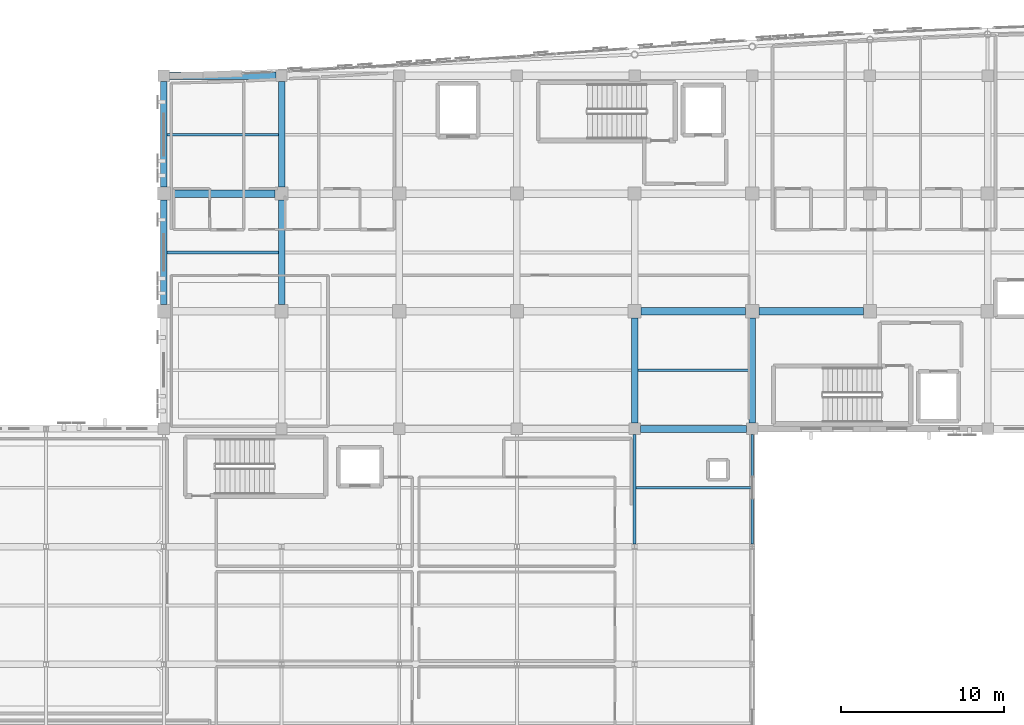
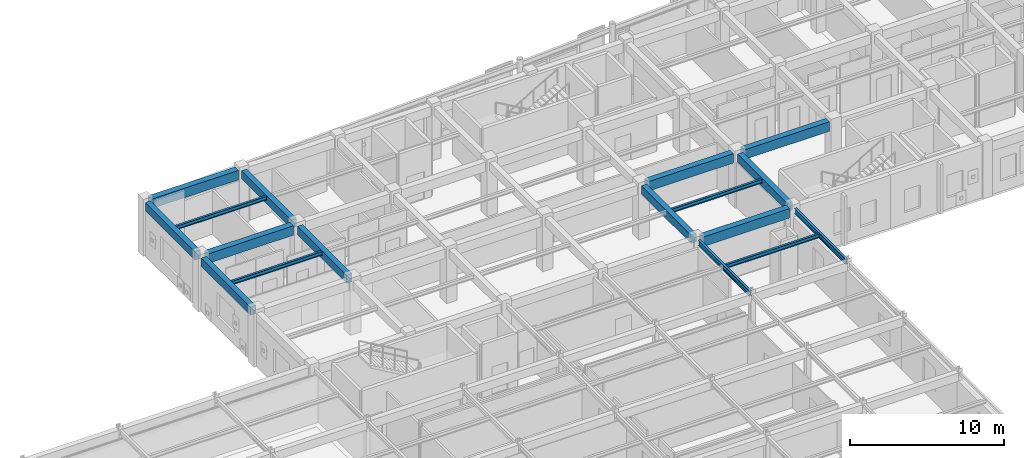
# One storey, part 24 of 106: 17 beams.
"""IFC4 building model written with IfcOpenShell, lengths in metres."""

from ifc_helpers import new_model, si_unit, direction, frame, origin, origin_2d, place, context, subcontext, project, spatial, rectangle, i_section, extrude, material, material_profile, profile_set, type_object, element, save


model = new_model("IFC4")

# Units and contexts
model_context = context("Model", 3, precision=1e-05, world=origin(), true_north=direction((0.0, 1.0)))
body_context = subcontext(model_context, "Body", "Model", "MODEL_VIEW")
ifc_project = project(units=[si_unit("LENGTHUNIT", "METRE"), si_unit("AREAUNIT", "SQUARE_METRE"), si_unit("VOLUMEUNIT", "CUBIC_METRE"), si_unit("PLANEANGLEUNIT", "RADIAN"), si_unit("MASSUNIT", "GRAM", prefix="KILO")], contexts=[model_context])

# Site, building, storey
site_placement = place(None, origin())
site = spatial("IfcSite", under=ifc_project, at=site_placement, CompositionType="ELEMENT")
building_placement = place(site_placement, origin())
building = spatial("IfcBuilding", under=site, at=building_placement, Name="Carrowvane Square Congress Hotel", CompositionType="ELEMENT")
storey_placement = place(building_placement, frame((0.0, 0.0, 10.5)))
storey = spatial("IfcBuildingStorey", under=building, at=storey_placement, Name="L02", CompositionType="ELEMENT", Elevation=10.5)

# Beams
ifc_material_1 = material(Name="Concrete C35/45", Category="concrete")
ifc_material_profile_1 = material_profile(ifc_material_1, rectangle(XDim=0.39990234375, YDim=0.64990234375, at=origin_2d()), Name="RC 400x650")
ifc_profile_set_1 = profile_set([ifc_material_profile_1], Name="Concrete C35/45")
beam_type_1 = type_object("IfcBeamType", Name="BM-RC-400x650", PredefinedType="BEAM", material=ifc_profile_set_1)
beam_1_placement = place(storey_placement, frame((33.199951171875, 99.39990234375, 3.89501953125), z_axis=(0.0, 1.0, 0.0), x_axis=(-1.0, 0.0, 0.0)))
element("IfcBeam", 1, at=beam_1_placement, inside=storey, type_object=beam_type_1, Name="L03 girder 4/P-Q", PredefinedType="BEAM", context=body_context, shape_type="SweptSolid", body=[
    extrude(rectangle(XDim=0.39990234375, YDim=0.64990234375, at=origin_2d()), origin(), (0.0, 0.0, 1.0), 6.400146484375),
])
beam_2_placement = place(storey_placement, frame((33.199951171875, 106.60009765625, 3.89501953125), z_axis=(0.0, 1.0, 0.0), x_axis=(-1.0, 0.0, 0.0)))
element("IfcBeam", 2, at=beam_2_placement, inside=storey, type_object=beam_type_1, Name="L03 girder 4/Q-R", PredefinedType="BEAM", context=body_context, shape_type="SweptSolid", body=[
    extrude(rectangle(XDim=0.39990234375, YDim=0.64990234375, at=origin_2d()), origin(), (0.0, 0.0, 1.0), 6.449951171875),
])
beam_3_placement = place(storey_placement, frame((40.39990234375, 99.39990234375, 3.89501953125), z_axis=(0.0, 1.0, 0.0), x_axis=(-1.0, 0.0, 0.0)))
element("IfcBeam", 3, at=beam_3_placement, inside=storey, type_object=beam_type_1, Name="L03 girder 5/P-Q", PredefinedType="BEAM", context=body_context, shape_type="SweptSolid", body=[
    extrude(rectangle(XDim=0.39990234375, YDim=0.64990234375, at=origin_2d()), origin(), (0.0, 0.0, 1.0), 6.400146484375),
])
beam_4_placement = place(storey_placement, frame((40.39990234375, 106.60009765625, 3.89501953125), z_axis=(0.0, 1.0, 0.0), x_axis=(-1.0, 0.0, 0.0)))
element("IfcBeam", 4, at=beam_4_placement, inside=storey, type_object=beam_type_1, Name="L03 girder 5/Q-R", PredefinedType="BEAM", context=body_context, shape_type="SweptSolid", body=[
    extrude(rectangle(XDim=0.39990234375, YDim=0.64990234375, at=origin_2d()), origin(), (0.0, 0.0, 1.0), 6.449951171875),
])
for number, where, z_axis, x_axis, name in (
    (5, (62.0, 92.14990234375, 3.89501953125), (0.0, 1.0, 0.0), (-1.0, 0.0, 0.0), "L03 girder 8/N-P"),
    (6, (69.199951171875, 92.14990234375, 3.89501953125), (0.0, 1.0, 0.0), (-1.0, 0.0, 0.0), "L03 girder 9/N-P"),
):
    element("IfcBeam", number, at=place(storey_placement, frame(where, z_axis=z_axis, x_axis=x_axis)), inside=storey, type_object=beam_type_1, Name=name, PredefinedType="BEAM", context=body_context, shape_type="SweptSolid", body=[
        extrude(rectangle(XDim=0.39990234375, YDim=0.64990234375, at=origin_2d()), origin(), (0.0, 0.0, 1.0), 6.4501953125),
    ])
ifc_material_2 = material(Name="Concrete C35/45", Category="concrete")
ifc_material_profile_2 = material_profile(ifc_material_2, rectangle(XDim=0.449951171875, YDim=0.75, at=origin_2d()), Name="RC 450x750")
ifc_profile_set_2 = profile_set([ifc_material_profile_2], Name="Concrete C35/45")
beam_type_2 = type_object("IfcBeamType", Name="BM-RC-450x750", PredefinedType="USERDEFINED", material=ifc_profile_set_2)
beam_5_placement = place(storey_placement, frame((62.35009765625, 91.800048828125, 3.844970703125), z_axis=(1.0, 0.0, 0.0), x_axis=(0.0, 1.0, 0.0)))
element("IfcBeam", 7, at=beam_5_placement, inside=storey, type_object=beam_type_2, Name="L03 girder N/8-9", ObjectType="GIRDER", PredefinedType="USERDEFINED", context=body_context, shape_type="SweptSolid", body=[
    extrude(rectangle(XDim=0.449951171875, YDim=0.75, at=origin_2d()), origin(), (0.0, 0.0, 1.0), 6.5),
])
beam_6_placement = place(storey_placement, frame((62.39990234375, 99.0, 3.844970703125), z_axis=(1.0, 0.0, 0.0), x_axis=(0.0, 1.0, 0.0)))
element("IfcBeam", 8, at=beam_6_placement, inside=storey, type_object=beam_type_2, Name="L03 girder P/8-9", ObjectType="GIRDER", PredefinedType="USERDEFINED", context=body_context, shape_type="SweptSolid", body=[
    extrude(rectangle(XDim=0.449951171875, YDim=0.75, at=origin_2d()), origin(), (0.0, 0.0, 1.0), 6.400146484375),
])
for number, where, z_axis, x_axis, name in (
    (9, (69.60009765625, 99.0, 3.844970703125), (1.0, 0.0, 0.0), (0.0, 1.0, 0.0), "L03 girder P/9-10"),
    (10, (33.60009765625, 106.199951171875, 3.844970703125), (1.0, 0.0, 0.0), (0.0, 1.0, 0.0), "L03 girder Q/4-5"),
):
    element("IfcBeam", number, at=place(storey_placement, frame(where, z_axis=z_axis, x_axis=x_axis)), inside=storey, type_object=beam_type_2, Name=name, ObjectType="GIRDER", PredefinedType="USERDEFINED", context=body_context, shape_type="SweptSolid", body=[
        extrude(rectangle(XDim=0.449951171875, YDim=0.75, at=origin_2d()), origin(), (0.0, 0.0, 1.0), 6.39990234375),
    ])
beam_7_placement = place(storey_placement, frame((33.550048828125, 113.39990234375, 3.844970703125), z_axis=(1.0, 0.0, 0.0), x_axis=(0.0, 1.0, 0.0)))
element("IfcBeam", 11, at=beam_7_placement, inside=storey, type_object=beam_type_2, Name="L03 girder R/4-5", ObjectType="GIRDER", PredefinedType="USERDEFINED", context=body_context, shape_type="SweptSolid", body=[
    extrude(rectangle(XDim=0.449951171875, YDim=0.75, at=origin_2d()), origin(), (0.0, 0.0, 1.0), 6.5),
])
ifc_material_3 = material(Name="Steel S355", Category="steel")
ifc_material_profile_3 = material_profile(ifc_material_3, i_section(OverallWidth=0.165771484375, OverallDepth=0.306640625, WebThickness=0.006591796875, FlangeThickness=0.01171875, FilletRadius=0.0087890625, at=origin_2d()), Name="UKB 305x165x46")
ifc_profile_set_3 = profile_set([ifc_material_profile_3], Name="Steel S355")
beam_type_3 = type_object("IfcBeamType", Name="BM-ST-UKB305", PredefinedType="JOIST", material=ifc_profile_set_3)
for number, where, z_axis, x_axis, name in (
    (12, (33.39990234375, 102.60009765625, 4.066650390625), (1.0, 0.0, 0.0), (0.0, 1.0, 0.0), "L03 secondary joist 4-5"),
    (13, (33.39990234375, 109.800048828125, 4.066650390625), (1.0, 0.0, 0.0), (0.0, 1.0, 0.0), "L03 secondary joist 4-5"),
):
    element("IfcBeam", number, at=place(storey_placement, frame(where, z_axis=z_axis, x_axis=x_axis)), inside=storey, type_object=beam_type_3, Name=name, PredefinedType="JOIST", context=body_context, shape_type="SweptSolid", body=[
        extrude(i_section(OverallWidth=0.165771484375, OverallDepth=0.306640625, WebThickness=0.006591796875, FlangeThickness=0.01171875, FilletRadius=0.0087890625, at=origin_2d()), origin(), (0.0, 0.0, 1.0), 6.800048828125),
    ])
beam_8_placement = place(storey_placement, frame((62.08935546875, 88.199951171875, 4.066650390625), z_axis=(1.0, 0.0, 0.0), x_axis=(0.0, 1.0, 0.0)))
element("IfcBeam", 14, at=beam_8_placement, inside=storey, type_object=beam_type_3, Name="L03 secondary joist 8-9", PredefinedType="JOIST", context=body_context, shape_type="SweptSolid", body=[
    extrude(i_section(OverallWidth=0.165771484375, OverallDepth=0.306640625, WebThickness=0.006591796875, FlangeThickness=0.01171875, FilletRadius=0.0087890625, at=origin_2d()), origin(), (0.0, 0.0, 1.0), 7.021240234375),
])
beam_9_placement = place(storey_placement, frame((62.199951171875, 95.39990234375, 4.066650390625), z_axis=(1.0, 0.0, 0.0), x_axis=(0.0, 1.0, 0.0)))
element("IfcBeam", 15, at=beam_9_placement, inside=storey, type_object=beam_type_3, Name="L03 secondary joist 8-9", PredefinedType="JOIST", context=body_context, shape_type="SweptSolid", body=[
    extrude(i_section(OverallWidth=0.165771484375, OverallDepth=0.306640625, WebThickness=0.006591796875, FlangeThickness=0.01171875, FilletRadius=0.0087890625, at=origin_2d()), origin(), (0.0, 0.0, 1.0), 6.800048828125),
])
ifc_material_4 = material(Name="Steel S355", Category="steel")
ifc_material_profile_4 = material_profile(ifc_material_4, i_section(OverallWidth=0.1787109375, OverallDepth=0.409423828125, WebThickness=0.0087890625, FlangeThickness=0.014404296875, FilletRadius=0.01025390625, at=origin_2d()), Name="UKB 406x178x67")
ifc_profile_set_4 = profile_set([ifc_material_profile_4], Name="Steel S355")
beam_type_4 = type_object("IfcBeamType", Name="BM-ST-UKB406", PredefinedType="BEAM", material=ifc_profile_set_4)
for number, where, z_axis, x_axis, name in (
    (16, (62.0, 84.76025390625, 4.015380859375), (0.0, 1.0, 0.0), (-1.0, 0.0, 0.0), "L03 girder 8/M-N"),
    (17, (69.199951171875, 84.76025390625, 4.015380859375), (0.0, 1.0, 0.0), (-1.0, 0.0, 0.0), "L03 girder 9/M-N"),
):
    element("IfcBeam", number, at=place(storey_placement, frame(where, z_axis=z_axis, x_axis=x_axis)), inside=storey, type_object=beam_type_4, Name=name, PredefinedType="BEAM", context=body_context, shape_type="SweptSolid", body=[
        extrude(i_section(OverallWidth=0.1787109375, OverallDepth=0.409423828125, WebThickness=0.0087890625, FlangeThickness=0.014404296875, FilletRadius=0.01025390625, at=origin_2d()), origin(), (0.0, 0.0, 1.0), 6.689697265625),
    ])

save(model, "model.ifc")
